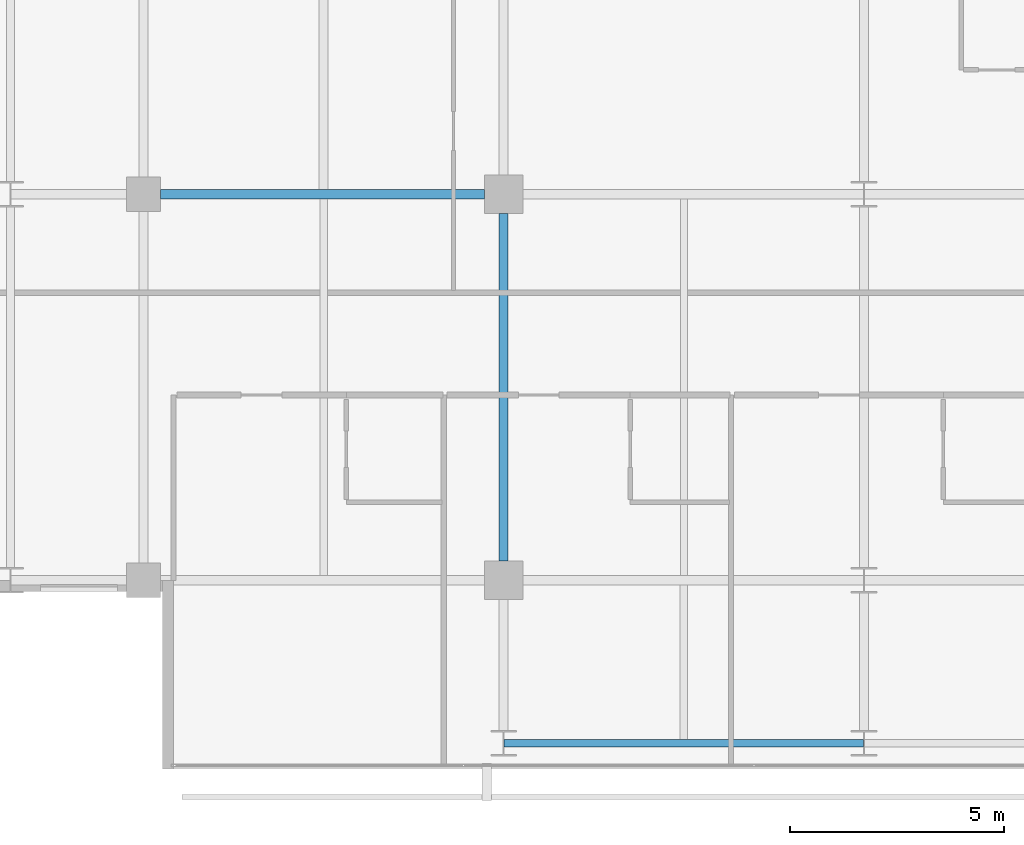
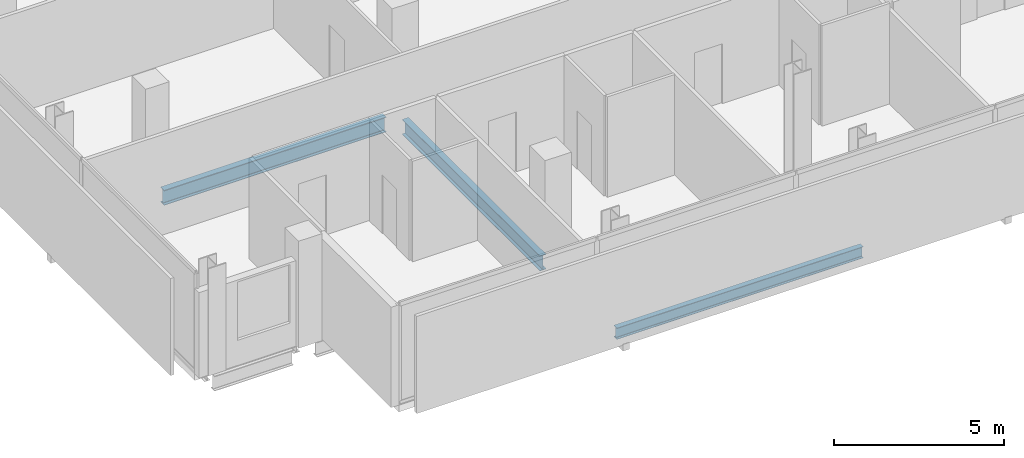
# One storey, part 5 of 33: 3 beams.
"""IFC4 building model written with IfcOpenShell, lengths in metres."""

from ifc_helpers import new_model, si_unit, direction, frame, origin, origin_2d, place, context, subcontext, project, spatial, i_section, extrude, material, material_profile, profile_set, type_object, element, save


model = new_model("IFC4")

# Units and contexts
model_context = context("Model", 3, precision=1e-05, world=origin(), true_north=direction((0.0, 1.0)))
body_context = subcontext(model_context, "Body", "Model", "MODEL_VIEW")
ifc_project = project(units=[si_unit("LENGTHUNIT", "METRE"), si_unit("AREAUNIT", "SQUARE_METRE"), si_unit("VOLUMEUNIT", "CUBIC_METRE"), si_unit("PLANEANGLEUNIT", "RADIAN"), si_unit("MASSUNIT", "GRAM", prefix="KILO")], contexts=[model_context])

# Site, building, storey
site_placement = place(None, origin())
site = spatial("IfcSite", under=ifc_project, at=site_placement, CompositionType="ELEMENT")
building_placement = place(site_placement, origin())
building = spatial("IfcBuilding", under=site, at=building_placement, Name="Maruvema Waterfront Hotel and Observation Tower", CompositionType="ELEMENT")
storey_placement = place(building_placement, frame((0.0, 0.0, 200.550048828125)))
storey = spatial("IfcBuildingStorey", under=building, at=storey_placement, Name="L49", CompositionType="ELEMENT", Elevation=200.550048828125)

# Beams
ifc_material_1 = material(Name="Steel ASTM A572 Grade 50", Category="steel")
ifc_material_profile_1 = material_profile(ifc_material_1, i_section(OverallWidth=0.178955078125, OverallDepth=0.409912109375, WebThickness=0.0087890625, FlangeThickness=0.014404296875, FilletRadius=0.014892578125, at=origin_2d()), Name="W410x67.0")
ifc_profile_set_1 = profile_set([ifc_material_profile_1], Name="Steel ASTM A572 Grade 50")
beam_type_1 = type_object("IfcBeamType", Name="Perimeter Spandrel Beam W410x67.0", PredefinedType="SPANDREL", material=ifc_profile_set_1)
beam_1_placement = place(storey_placement, frame((25.21240234375, 5.199951171875, -0.445068359375), z_axis=(1.0, 0.0, 0.0), x_axis=(0.0, 1.0, 0.0)))
element("IfcBeam", 1, at=beam_1_placement, inside=storey, type_object=beam_type_1, Name="L49 Floor Girder EW-01", PredefinedType="SPANDREL", context=body_context, shape_type="SweptSolid", body=[
    extrude(i_section(OverallWidth=0.178955078125, OverallDepth=0.409912109375, WebThickness=0.0087890625, FlangeThickness=0.014404296875, FilletRadius=0.014892578125, at=origin_2d()), origin(), (0.0, 0.0, 1.0), 8.375),
])
ifc_material_2 = material(Name="Steel ASTM A572 Grade 50", Category="steel")
ifc_material_profile_2 = material_profile(ifc_material_2, i_section(OverallWidth=0.2109375, OverallDepth=0.5390625, WebThickness=0.01171875, FlangeThickness=0.018798828125, FilletRadius=0.014892578125, at=origin_2d()), Name="W530x109.0")
ifc_profile_set_2 = profile_set([ifc_material_profile_2], Name="Steel ASTM A572 Grade 50")
beam_type_2 = type_object("IfcBeamType", Name="Primary Floor Girder W530x109.0", PredefinedType="BEAM", material=ifc_profile_set_2)
beam_2_placement = place(storey_placement, frame((17.199951171875, 18.0, -0.509521484375), z_axis=(1.0, 0.0, 0.0), x_axis=(0.0, 1.0, 0.0)))
element("IfcBeam", 2, at=beam_2_placement, inside=storey, type_object=beam_type_2, Name="L49 Floor Girder EW-12", PredefinedType="BEAM", context=body_context, shape_type="SweptSolid", body=[
    extrude(i_section(OverallWidth=0.2109375, OverallDepth=0.5390625, WebThickness=0.01171875, FlangeThickness=0.018798828125, FilletRadius=0.014892578125, at=origin_2d()), origin(), (0.0, 0.0, 1.0), 7.550048828125),
])
beam_3_placement = place(storey_placement, frame((25.199951171875, 9.449951171875, -0.509521484375), z_axis=(0.0, 1.0, 0.0), x_axis=(-1.0, 0.0, 0.0)))
element("IfcBeam", 3, at=beam_3_placement, inside=storey, type_object=beam_type_2, Name="L49 Floor Girder NS-10", PredefinedType="BEAM", context=body_context, shape_type="SweptSolid", body=[
    extrude(i_section(OverallWidth=0.2109375, OverallDepth=0.5390625, WebThickness=0.01171875, FlangeThickness=0.018798828125, FilletRadius=0.014892578125, at=origin_2d()), origin(), (0.0, 0.0, 1.0), 8.10009765625),
])

save(model, "model.ifc")
